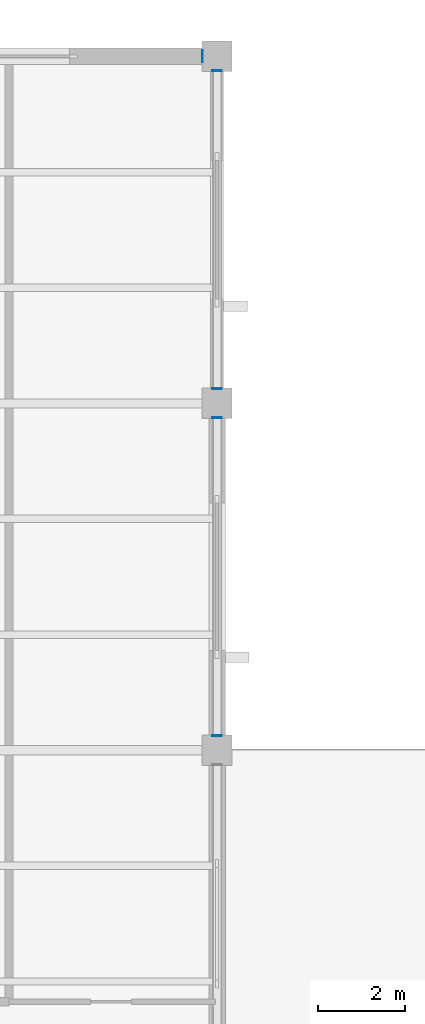
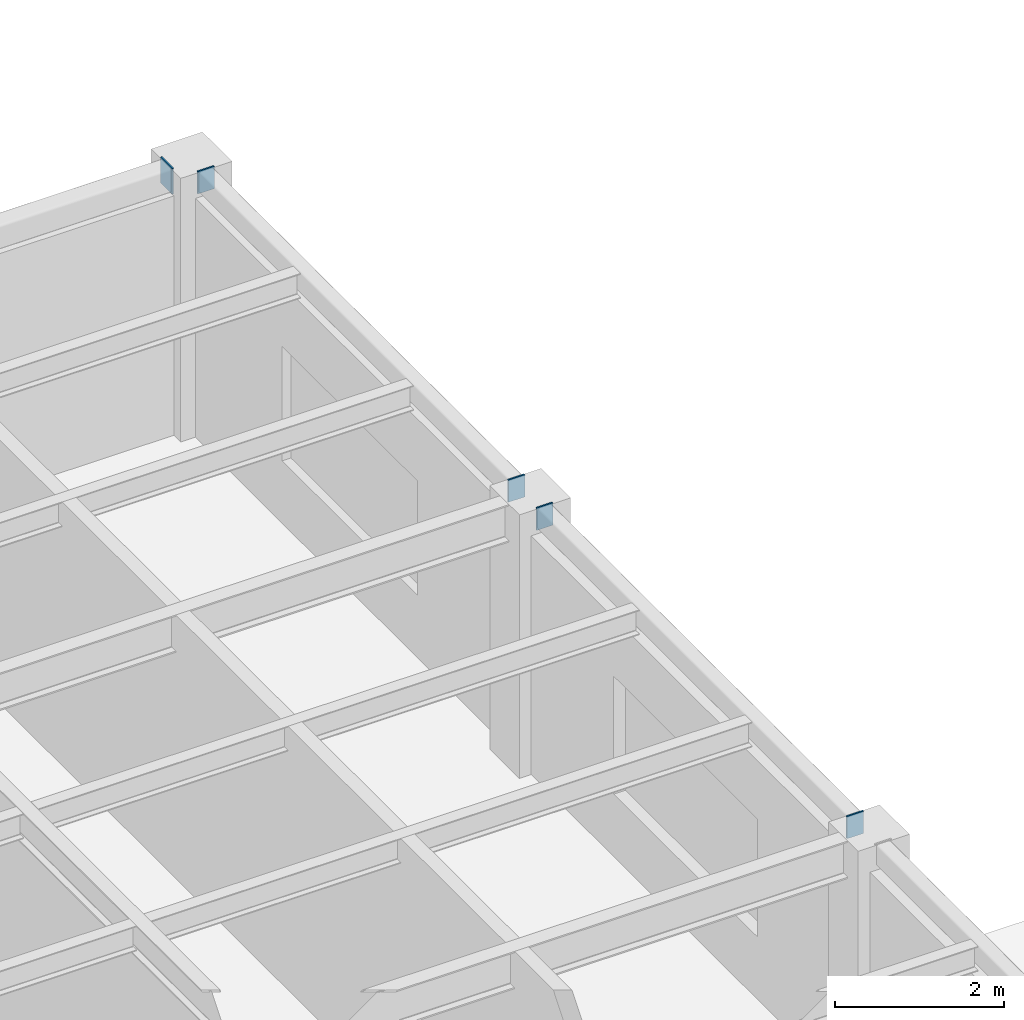
# One storey, part 108 of 138: 5 discrete accessories.
"""IFC4 building model written with IfcOpenShell, lengths in metres."""

import ifcopenshell
import ifcopenshell.guid

model = None  # the IFC model being written
_history = None  # IfcOwnerHistory: only IFC2X3 demands one
_inside = {}  # id of a spatial element -> (the spatial element, [elements in it])
_under = {}  # id of a project, library or spatial element -> (it, [spatial elements below it])
_declared = {}  # id of a project -> (the project, [libraries it declares])
_typed = {}  # id of a type object -> (the type object, [elements of that type])
_made_of = {}  # id of a material, layer set ... -> (it, [elements and type objects made of it])


def new_model(schema):
    """Start an empty IFC model of exactly this schema.

    Asked for "IFC4X3", IfcOpenShell would pick the latest addendum, in which some entities
    have other attributes; the version numbers below select the first issue.
    IFC2X3 requires an IfcOwnerHistory on every rooted entity: one is made here for all.
    """
    global model, _history
    if schema == "IFC4X3":
        model = ifcopenshell.file(schema_version=(4, 3, 0, 0))
    else:
        model = ifcopenshell.file(schema=schema)
    _inside.clear()
    _under.clear()
    _declared.clear()
    _typed.clear()
    _made_of.clear()
    _history = None
    if model.schema == "IFC2X3":
        org = make("IfcOrganization", Name="unknown")
        user = make(
            "IfcPersonAndOrganization",
            ThePerson=make("IfcPerson", FamilyName="unknown"),
            TheOrganization=org,
        )
        app = make(
            "IfcApplication",
            ApplicationDeveloper=org,
            Version="unknown",
            ApplicationFullName="unknown",
            ApplicationIdentifier="unknown",
        )
        _history = make(
            "IfcOwnerHistory",
            OwningUser=user,
            OwningApplication=app,
            ChangeAction="ADDED",
            CreationDate=0,
        )
    return model


def make(cls, **values):
    """One entity of the class cls with the attributes given. An attribute that is None is left unset."""
    return model.create_entity(
        cls, **{name: value for name, value in values.items() if value is not None}
    )


def rooted(cls, **values):
    """An entity with a GlobalId (a new one), such as an element, a storey or a relation."""
    return make(cls, GlobalId=ifcopenshell.guid.new(), OwnerHistory=_history, **values)


def si_unit(unit_type, name, prefix=None):
    """IfcSIUnit, for example si_unit("LENGTHUNIT", "METRE", prefix="MILLI")."""
    return make("IfcSIUnit", UnitType=unit_type, Prefix=prefix, Name=name)


def assignment(units):
    """IfcUnitAssignment: the units of a project."""
    return None if units is None else make("IfcUnitAssignment", Units=units)


def point(xyz):
    """IfcCartesianPoint."""
    return None if xyz is None else make("IfcCartesianPoint", Coordinates=xyz)


def direction(xyz):
    """IfcDirection."""
    return None if xyz is None else make("IfcDirection", DirectionRatios=xyz)


def frame(location, z_axis=None, x_axis=None):
    """IfcAxis2Placement3D, a coordinate frame: its origin and axes. An axis left out is left unset."""
    return make(
        "IfcAxis2Placement3D",
        Location=point(location),
        Axis=direction(z_axis),
        RefDirection=direction(x_axis),
    )


def frame_2d(location, x_axis=None):
    """IfcAxis2Placement2D, a coordinate frame in the plane: its origin and x axis."""
    return make(
        "IfcAxis2Placement2D", Location=point(location), RefDirection=direction(x_axis)
    )


def origin():
    """The frame at (0, 0, 0) with its axes left unset."""
    return frame((0.0, 0.0, 0.0))


def origin_2d():
    """The frame at (0, 0) in the plane with its x axis left unset."""
    return frame_2d((0.0, 0.0))


def place(relative_to, where):
    """IfcLocalPlacement: puts the frame where relative to a parent placement (None: the world)."""
    return make(
        "IfcLocalPlacement", PlacementRelTo=relative_to, RelativePlacement=where
    )


def context(
    kind, dimensions, precision=None, world=None, true_north=None, identifier=None
):
    """IfcGeometricRepresentationContext, for example the 3D "Model" context."""
    return make(
        "IfcGeometricRepresentationContext",
        ContextIdentifier=identifier,
        ContextType=kind,
        CoordinateSpaceDimension=dimensions,
        Precision=precision,
        WorldCoordinateSystem=world,
        TrueNorth=true_north,
    )


def subcontext(parent, identifier, kind, view, scale=None):
    """IfcGeometricRepresentationSubContext, for example "Body" below "Model"."""
    return make(
        "IfcGeometricRepresentationSubContext",
        ContextIdentifier=identifier,
        ContextType=kind,
        ParentContext=parent,
        TargetScale=scale,
        TargetView=view,
    )


def project(units=None, contexts=None):
    """IfcProject with its units and contexts."""
    return rooted(
        "IfcProject",
        Name="project",
        RepresentationContexts=contexts,
        UnitsInContext=assignment(units),
    )


def spatial(cls, under=None, at=None, **own):
    """A site, building, storey or space (cls), placed at a placement, below another one or the project."""
    s = rooted(cls, ObjectPlacement=at, **own)
    if under is not None:
        _under.setdefault(under.id(), (under, []))[1].append(s)
    return s


def profile(cls, at=None, kind="AREA", **sizes):
    """A parametric profile (cls). Its sizes go by their IFC names, for example OverallWidth=200.0."""
    return make(cls, ProfileType=kind, Position=at, **sizes)


def rectangle(**sizes):
    """IfcRectangleProfileDef."""
    return profile("IfcRectangleProfileDef", **sizes)


def extrude(swept, where, along, depth):
    """IfcExtrudedAreaSolid: the profile swept, set in the frame where, extruded along a direction by depth."""
    return make(
        "IfcExtrudedAreaSolid",
        SweptArea=swept,
        Position=where,
        ExtrudedDirection=direction(along),
        Depth=depth,
    )


def shape(context_of_items, identifier, shape_type, items):
    """IfcShapeRepresentation: the items that make up one representation, for example the "Body"."""
    return make(
        "IfcShapeRepresentation",
        ContextOfItems=context_of_items,
        RepresentationIdentifier=identifier,
        RepresentationType=shape_type,
        Items=items,
    )


def material(Name=None, Category=None):
    """IfcMaterial."""
    return make("IfcMaterial", Name=Name, Category=Category)


def layer(
    of_material, thickness, ventilated=None, Name=None, Category=None, Priority=None
):
    """IfcMaterialLayer: one layer of a wall or slab, of a material (None: an air gap)."""
    return make(
        "IfcMaterialLayer",
        Material=of_material,
        LayerThickness=thickness,
        IsVentilated=ventilated,
        Name=Name,
        Category=Category,
        Priority=Priority,
    )


def layer_set(layers, Name=None):
    """IfcMaterialLayerSet."""
    return make("IfcMaterialLayerSet", MaterialLayers=layers, LayerSetName=Name)


def made_of(thing, what):
    """Note that an element or type object is made of a material, layer set ...; save() writes the relation."""
    if what is not None:
        _made_of.setdefault(what.id(), (what, []))[1].append(thing)
    return thing


def type_object(cls, material=None, **own):
    """A type object (cls), such as IfcWallType, which elements share."""
    return made_of(rooted(cls, **own), material)


def element(
    cls,
    number,
    at=None,
    inside=None,
    cuts=None,
    type_object=None,
    material=None,
    context=None,
    identifier="Body",
    shape_type=None,
    held_by="IfcProductDefinitionShape",
    body=None,
    shapes=None,
    **own,
):
    """One element of the class cls, such as IfcWall. Its Tag is "e" and its number.

    at: its placement. inside: the storey or other place that contains it. cuts: it is an
    opening in that element (IfcRelVoidsElement). A single representation is given by context,
    identifier, shape_type and body (its items); several are given by shapes. held_by: the class
    of the entity that holds the representations. save() writes the other relations.
    """
    e = rooted(cls, Tag="e%d" % number, ObjectPlacement=at, **own)
    if body is not None:
        shapes = [shape(context, identifier, shape_type, body)]
    if shapes is not None:
        e.Representation = make(held_by, Representations=shapes)
    if inside is not None:
        _inside.setdefault(inside.id(), (inside, []))[1].append(e)
    if cuts is not None:
        rooted(
            "IfcRelVoidsElement", RelatingBuildingElement=cuts, RelatedOpeningElement=e
        )
    if type_object is not None:
        _typed.setdefault(type_object.id(), (type_object, []))[1].append(e)
    return made_of(e, material)


def aggregate(whole, parts):
    """IfcRelAggregates: a whole, such as a stair, and the parts it consists of."""
    return rooted("IfcRelAggregates", RelatingObject=whole, RelatedObjects=parts)


def save(model, path):
    """Write the relations noted so far, then the file.

    IfcRelAggregates (storeys below a building ...), IfcRelContainedInSpatialStructure (elements
    in a storey), IfcRelDefinesByType, IfcRelAssociatesMaterial and IfcRelDeclares: one each for
    every whole, place, type object, material and project.
    """
    for whole, parts in _under.values():
        aggregate(whole, parts)
    for where, things in _inside.values():
        rooted(
            "IfcRelContainedInSpatialStructure",
            RelatedElements=things,
            RelatingStructure=where,
        )
    for kind, things in _typed.values():
        rooted("IfcRelDefinesByType", RelatedObjects=things, RelatingType=kind)
    for what, things in _made_of.values():
        rooted("IfcRelAssociatesMaterial", RelatedObjects=things, RelatingMaterial=what)
    for by, libraries in _declared.values():
        rooted("IfcRelDeclares", RelatingContext=by, RelatedDefinitions=libraries)
    model.write(path)


model = new_model("IFC4")

# Units and contexts
model_context = context("Model", 3, precision=1e-05, world=origin(), true_north=direction((0.0, 1.0)))
body_context = subcontext(model_context, "Body", "Model", "MODEL_VIEW")
ifc_project = project(units=[si_unit("LENGTHUNIT", "METRE"), si_unit("AREAUNIT", "SQUARE_METRE"), si_unit("VOLUMEUNIT", "CUBIC_METRE"), si_unit("PLANEANGLEUNIT", "RADIAN"), si_unit("MASSUNIT", "GRAM", prefix="KILO")], contexts=[model_context])

# Site, building, storey
site_placement = place(None, origin())
site = spatial("IfcSite", under=ifc_project, at=site_placement, CompositionType="ELEMENT")
building_placement = place(site_placement, origin())
building = spatial("IfcBuilding", under=site, at=building_placement, Name="Kranzveld Transit Interchange", CompositionType="ELEMENT")
storey_placement = place(building_placement, frame((0.0, 0.0, 5.43994140625)))
storey = spatial("IfcBuildingStorey", under=building, at=storey_placement, Name="L01", CompositionType="ELEMENT", Elevation=5.43994140625)

# Discrete accessories
ifc_material = material(Name="Steel S355JR", Category="steel")
ifc_layer = layer(ifc_material, 0.02001953125)
ifc_layer_set = layer_set([ifc_layer], Name="Steel S355JR")
discrete_accessory_type = type_object("IfcDiscreteAccessoryType", Name="Hollow Section End Cap Bracket 20 S355JR", PredefinedType="BRACKET", material=ifc_layer_set)
discrete_accessory_placement = place(storey_placement, frame((50.055908203125, 112.0, 3.625), z_axis=(1.0, 0.0, 0.0), x_axis=(0.0, 1.0, 0.0)))
element("IfcDiscreteAccessory", 1, at=discrete_accessory_placement, inside=storey, type_object=discrete_accessory_type, Name="Hollow Section End Cap SP-RHS350-2", PredefinedType="BRACKET", context=body_context, shape_type="SweptSolid", body=[
    extrude(rectangle(XDim=0.27392578125, YDim=0.3740234375, at=origin_2d()), origin(), (0.0, 0.0, 1.0), 0.02001953125),
])
for number, where, z_axis, x_axis, name in (
    (2, (50.39990234375, 96.343994140625, 3.650146484375), (0.0, -1.0, 0.0), (1.0, 0.0, 0.0), "Hollow Section End Cap SP-RHS300-1"),
    (3, (50.39990234375, 103.656005859375, 3.650146484375), (0.0, 1.0, 0.0), (-1.0, 0.0, 0.0), "Hollow Section End Cap SP-RHS300-2"),
    (4, (50.39990234375, 104.343994140625, 3.650146484375), (0.0, -1.0, 0.0), (1.0, 0.0, 0.0), "Hollow Section End Cap SP-RHS300-1"),
    (5, (50.39990234375, 111.656005859375, 3.650146484375), (0.0, 1.0, 0.0), (-1.0, 0.0, 0.0), "Hollow Section End Cap SP-RHS300-2"),
):
    element("IfcDiscreteAccessory", number, at=place(storey_placement, frame(where, z_axis=z_axis, x_axis=x_axis)), inside=storey, type_object=discrete_accessory_type, Name=name, PredefinedType="BRACKET", context=body_context, shape_type="SweptSolid", body=[
        extrude(rectangle(XDim=0.22412109375, YDim=0.323974609375, at=origin_2d()), origin(), (0.0, 0.0, 1.0), 0.02001953125),
    ])

save(model, "model.ifc")
